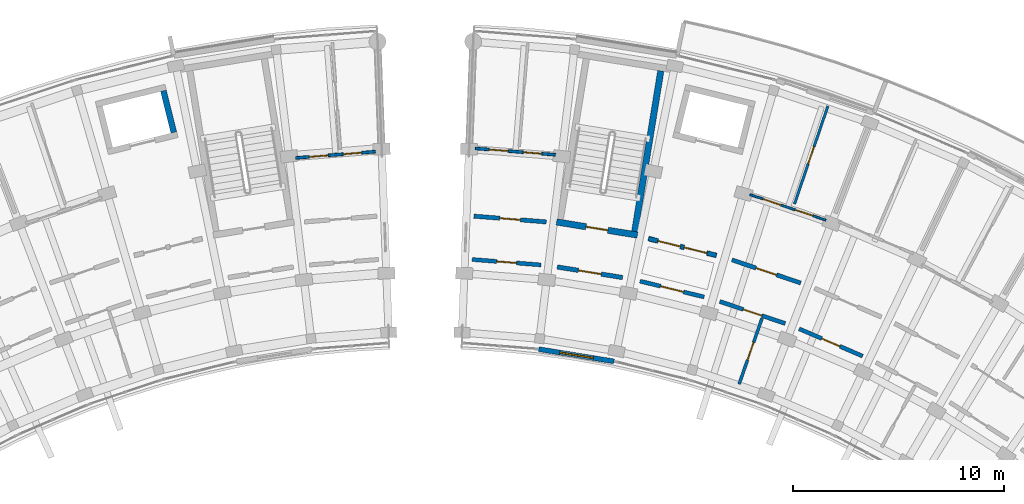
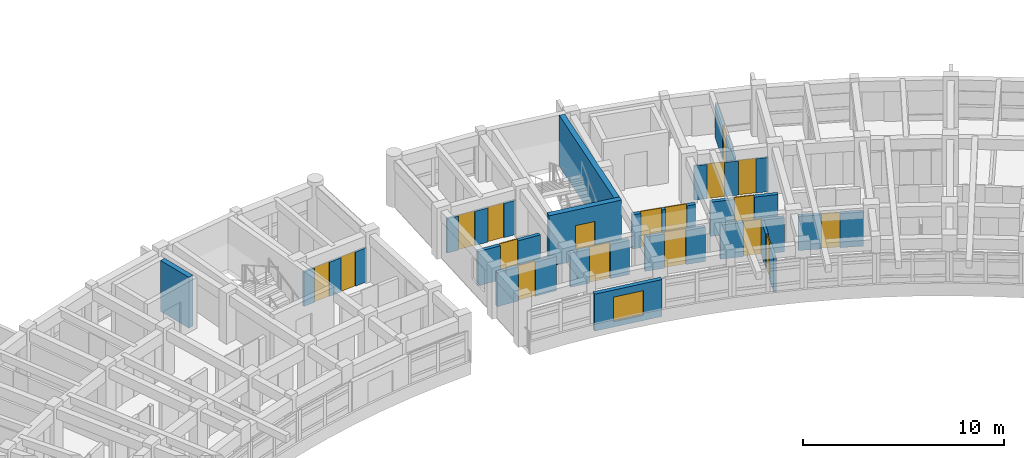
# One storey, part 30 of 54: 18 doors, 17 walls, 1 window, 19 openings.
"""IFC4 building model written with IfcOpenShell, lengths in metres."""

from ifc_helpers import new_model, si_unit, direction, frame, frame_2d, origin, place, context, subcontext, project, spatial, rectangle, extrude, material, layer, layer_set, type_object, element, fill, save


model = new_model("IFC4")

# Units and contexts
model_context = context("Model", 3, precision=1e-05, world=origin(), true_north=direction((0.0, 1.0)))
body_context = subcontext(model_context, "Body", "Model", "MODEL_VIEW")
ifc_project = project(units=[si_unit("LENGTHUNIT", "METRE"), si_unit("AREAUNIT", "SQUARE_METRE"), si_unit("VOLUMEUNIT", "CUBIC_METRE"), si_unit("PLANEANGLEUNIT", "RADIAN"), si_unit("MASSUNIT", "GRAM", prefix="KILO")], contexts=[model_context])

# Site, building, storey
site_placement = place(None, origin())
site = spatial("IfcSite", under=ifc_project, at=site_placement, CompositionType="ELEMENT")
building_placement = place(site_placement, origin())
building = spatial("IfcBuilding", under=site, at=building_placement, Name="Zimvara Arc Housing Community", CompositionType="ELEMENT")
storey_placement = place(building_placement, frame((0.0, 0.0, 20.5)))
storey = spatial("IfcBuildingStorey", under=building, at=storey_placement, Name="L06", CompositionType="ELEMENT", Elevation=20.5)

# Wall, opening, window
ifc_material_1 = material(Name="Board-Marked Fair-Faced Concrete C35/45", Category="concrete")
ifc_layer_1 = layer(ifc_material_1, 0.22998046875)
ifc_layer_set_1 = layer_set([ifc_layer_1], Name="Board-Marked Fair-Faced Concrete C35/45")
wall_type_1 = type_object("IfcWallType", Name="EWL-CONC-230", PredefinedType="SOLIDWALL", material=ifc_layer_set_1)
wall_1_placement = place(storey_placement, frame((50.36474609375, 88.79541015625, 0.0), z_axis=(0.0, 0.0, 1.0), x_axis=(0.987080874485, -0.160222804952, 0.0)))
wall_1 = element("IfcWall", 1, at=wall_1_placement, inside=storey, type_object=wall_type_1, Name="ewall:blkB:L06:in:b1", PredefinedType="SOLIDWALL", context=body_context, shape_type="SweptSolid", body=[
    extrude(rectangle(XDim=3.603759765625, YDim=0.22998046875, at=frame_2d((1.8017578125, 0.0))), origin(), (0.0, 0.0, 1.0), 2.25),
])
opening_1_placement = place(wall_1_placement, frame((1.001708984375, 0.0, 0.320068359375)))
opening_1 = element("IfcOpeningElement", 2, at=opening_1_placement, cuts=wall_1, Name="Opening W03", PredefinedType="OPENING", context=body_context, shape_type="SweptSolid", body=[
    extrude(rectangle(XDim=1.60009765625, YDim=1.5, at=frame_2d((0.800048828125, 0.75))), frame((0.0, 0.125, 0.0), z_axis=(0.0, -1.0, 0.0), x_axis=(1.0, 0.0, 0.0)), (0.0, 0.0, 1.0), 0.25),
])
ifc_material_2 = material(Name="Solar Control Low-E Double Glazing", Category="glass")
window_type = type_object("IfcWindowType", Name="WIN-RES-1600x1500", PartitioningType="DOUBLE_PANEL_VERTICAL", PredefinedType="WINDOW", material=ifc_material_2)
window_placement = place(opening_1_placement, origin())
window = element("IfcWindow", 3, at=window_placement, inside=storey, type_object=window_type, Name="win:blkB:L06:in:b1", OverallHeight=1.5, OverallWidth=1.60009765625, PartitioningType="DOUBLE_PANEL_VERTICAL", PredefinedType="WINDOW", context=body_context, shape_type="SweptSolid", body=[
    extrude(rectangle(XDim=1.60009765625, YDim=1.5, at=frame_2d((0.800048828125, 0.75))), frame((0.0, 0.030029296875, 0.0), z_axis=(0.0, -1.0, 0.0), x_axis=(1.0, 0.0, 0.0)), (0.0, 0.0, 1.0), 0.06005859375),
])
fill(opening_1, window)

# Wall, opening, door
ifc_material_3 = material(Name="Concrete C35/45", Category="concrete")
ifc_layer_2 = layer(ifc_material_3, 0.2099609375)
ifc_layer_set_2 = layer_set([ifc_layer_2], Name="Concrete C35/45")
wall_type_2 = type_object("IfcWallType", Name="IWL-CCF-210", PredefinedType="SOLIDWALL", material=ifc_layer_set_2)
wall_2_placement = place(storey_placement, frame((51.236328125, 92.682861328125, 0.0), z_axis=(0.0, 0.0, 1.0), x_axis=(0.98707079686, -0.160284877599, 0.0)))
wall_2 = element("IfcWall", 4, at=wall_2_placement, inside=storey, type_object=wall_type_2, Name="iwall:blkB:L06:ccf_div:b1", PredefinedType="SOLIDWALL", context=body_context, shape_type="SweptSolid", body=[
    extrude(rectangle(XDim=3.128662109375, YDim=0.2099609375, at=frame_2d((1.564453125, 0.0))), origin(), (0.0, 0.0, 1.0), 2.080078125),
])
opening_2_placement = place(wall_2_placement, frame((1.014404296875, 0.0, 0.0)))
opening_2 = element("IfcOpeningElement", 5, at=opening_2_placement, cuts=wall_2, Name="Opening FD-CCF1", PredefinedType="OPENING", context=body_context, shape_type="SweptSolid", body=[
    extrude(rectangle(XDim=1.10009765625, YDim=2.14990234375, at=frame_2d((0.550048828125, 1.074951171875))), frame((0.0, 0.114990234375, 0.0), z_axis=(0.0, -1.0, 0.0), x_axis=(1.0, 0.0, 0.0)), (0.0, 0.0, 1.0), 0.22998046875),
])
ifc_material_4 = material(Name="Anodised Aluminium AW-6063", Category="aluminium")
door_type_1 = type_object("IfcDoorType", Name="IDR-CCF-1100x2150", OperationType="NOTDEFINED", PredefinedType="DOOR", material=ifc_material_4)
door_1_placement = place(opening_2_placement, origin())
door_1 = element("IfcDoor", 6, at=door_1_placement, inside=storey, type_object=door_type_1, Name="idoor:blkB:L06:ccf_in:b1", OperationType="SINGLE_SWING_RIGHT", OverallHeight=2.14990234375, OverallWidth=1.10009765625, PredefinedType="DOOR", context=body_context, shape_type="SweptSolid", body=[
    extrude(rectangle(XDim=1.10009765625, YDim=2.14990234375, at=frame_2d((0.550048828125, 1.074951171875))), frame((0.0, 0.02490234375, 0.0), z_axis=(0.0, -1.0, 0.0), x_axis=(1.0, 0.0, 0.0)), (0.0, 0.0, 1.0), 0.050048828125),
])
fill(opening_2, door_1)

# Wall, openings, doors
wall_3_placement = place(storey_placement, frame((55.5576171875, 94.021728515625, 0.0), z_axis=(0.0, 0.0, 1.0), x_axis=(0.970719238682, -0.240216901263, 0.0)))
wall_3 = element("IfcWall", 7, at=wall_3_placement, inside=storey, type_object=wall_type_2, Name="iwall:blkB:L06:ll_div:b2", PredefinedType="SOLIDWALL", context=body_context, shape_type="SweptSolid", body=[
    extrude(rectangle(XDim=3.2958984375, YDim=0.2099609375, at=frame_2d((1.64794921875, 0.0))), origin(), (0.0, 0.0, 1.0), 2.080078125),
])
opening_3_placement = place(wall_3_placement, frame((0.449951171875, 0.0, 0.0)))
opening_3 = element("IfcOpeningElement", 8, at=opening_3_placement, cuts=wall_3, Name="Opening FD-CCF1", PredefinedType="OPENING", context=body_context, shape_type="SweptSolid", body=[
    extrude(rectangle(XDim=1.10009765625, YDim=2.14990234375, at=frame_2d((0.550048828125, 1.074951171875))), frame((0.0, 0.114990234375, 0.0), z_axis=(0.0, -1.0, 0.0), x_axis=(1.0, 0.0, 0.0)), (0.0, 0.0, 1.0), 0.22998046875),
])
opening_4_placement = place(wall_3_placement, frame((1.72607421875, 0.0, 0.0)))
opening_4 = element("IfcOpeningElement", 9, at=opening_4_placement, cuts=wall_3, Name="Opening D07", PredefinedType="OPENING", context=body_context, shape_type="SweptSolid", body=[
    extrude(rectangle(XDim=1.1201171875, YDim=2.14990234375, at=frame_2d((0.56005859375, 1.074951171875))), frame((0.0, 0.114990234375, 0.0), z_axis=(0.0, -1.0, 0.0), x_axis=(1.0, 0.0, 0.0)), (0.0, 0.0, 1.0), 0.22998046875),
])
ifc_material_5 = material(Name="Mozambican Hardwood", Category="wood")
door_type_2 = type_object("IfcDoorType", Name="IDR-AMN-1120x2150", OperationType="NOTDEFINED", PredefinedType="DOOR", material=ifc_material_5)
door_2_placement = place(opening_4_placement, origin())
door_2 = element("IfcDoor", 10, at=door_2_placement, inside=storey, type_object=door_type_2, Name="idoor:blkB:L06:rs_in:b2", OperationType="SINGLE_SWING_RIGHT", OverallHeight=2.14990234375, OverallWidth=1.1201171875, PredefinedType="DOOR", context=body_context, shape_type="SweptSolid", body=[
    extrude(rectangle(XDim=1.1201171875, YDim=2.14990234375, at=frame_2d((0.56005859375, 1.074951171875))), frame((0.0, 0.02490234375, 0.0), z_axis=(0.0, -1.0, 0.0), x_axis=(1.0, 0.0, 0.0)), (0.0, 0.0, 1.0), 0.050048828125),
])
fill(opening_4, door_2)
door_3_placement = place(opening_3_placement, origin())
door_3 = element("IfcDoor", 11, at=door_3_placement, inside=storey, type_object=door_type_1, Name="idoor:blkB:L06:ll_in:b2", OperationType="SINGLE_SWING_LEFT", OverallHeight=2.14990234375, OverallWidth=1.10009765625, PredefinedType="DOOR", context=body_context, shape_type="SweptSolid", body=[
    extrude(rectangle(XDim=1.10009765625, YDim=2.14990234375, at=frame_2d((0.550048828125, 1.074951171875))), frame((0.0, 0.02490234375, 0.0), z_axis=(0.0, -1.0, 0.0), x_axis=(1.0, 0.0, 0.0)), (0.0, 0.0, 1.0), 0.050048828125),
])
fill(opening_3, door_3)

# Wall, opening, door
ifc_material_6 = material(Name="Concrete C35/45", Category="concrete")
ifc_layer_3 = layer(ifc_material_6, 0.18994140625)
ifc_layer_set_3 = layer_set([ifc_layer_3], Name="Concrete C35/45")
wall_type_3 = type_object("IfcWallType", Name="IWL-CORR-190", PredefinedType="SOLIDWALL", material=ifc_layer_set_3)
wall_4_placement = place(storey_placement, frame((47.214599609375, 93.036376953125, 0.0), z_axis=(0.0, 0.0, 1.0), x_axis=(0.99686660806, -0.07910098441, 0.0)))
wall_4 = element("IfcWall", 12, at=wall_4_placement, inside=storey, type_object=wall_type_3, Name="iwall:blkB:L06:corr_in:b0", PredefinedType="SOLIDWALL", context=body_context, shape_type="SweptSolid", body=[
    extrude(rectangle(XDim=3.2685546875, YDim=0.18994140625, at=frame_2d((1.63427734375, 0.0))), origin(), (0.0, 0.0, 1.0), 2.080078125),
])
opening_5_placement = place(wall_4_placement, frame((1.164306640625, 0.0, 0.0)))
opening_5 = element("IfcOpeningElement", 13, at=opening_5_placement, cuts=wall_4, Name="Opening D03", PredefinedType="OPENING", context=body_context, shape_type="SweptSolid", body=[
    extrude(rectangle(XDim=0.93994140625, YDim=2.10009765625, at=frame_2d((0.469970703125, 1.050048828125))), frame((0.0, 0.10498046875, 0.0), z_axis=(0.0, -1.0, 0.0), x_axis=(1.0, 0.0, 0.0)), (0.0, 0.0, 1.0), 0.2099609375),
])
ifc_material_7 = material(Name="Mozambican Hardwood", Category="wood")
door_type_3 = type_object("IfcDoorType", Name="IDR-RM-0940x2100", OperationType="NOTDEFINED", PredefinedType="DOOR", material=ifc_material_7)
door_4_placement = place(opening_5_placement, origin())
door_4 = element("IfcDoor", 14, at=door_4_placement, inside=storey, type_object=door_type_3, Name="idoor:blkB:L06:in_rm:b0", OperationType="SINGLE_SWING_RIGHT", OverallHeight=2.10009765625, OverallWidth=0.93994140625, PredefinedType="DOOR", context=body_context, shape_type="SweptSolid", body=[
    extrude(rectangle(XDim=0.93994140625, YDim=2.10009765625, at=frame_2d((0.469970703125, 1.050048828125))), frame((0.0, 0.02490234375, 0.0), z_axis=(0.0, -1.0, 0.0), x_axis=(1.0, 0.0, 0.0)), (0.0, 0.0, 1.0), 0.050048828125),
])
fill(opening_5, door_4)

wall_5_placement = place(storey_placement, frame((55.146728515625, 92.01318359375, 0.0), z_axis=(0.0, 0.0, 1.0), x_axis=(0.970727194092, -0.240184751078, 0.0)))
wall_5 = element("IfcWall", 15, at=wall_5_placement, inside=storey, type_object=wall_type_3, Name="iwall:blkB:L06:ra_div:b2", PredefinedType="SOLIDWALL", context=body_context, shape_type="SweptSolid", body=[
    extrude(rectangle(XDim=3.128662109375, YDim=0.18994140625, at=frame_2d((1.564453125, 0.0))), origin(), (0.0, 0.0, 1.0), 2.080078125),
])
opening_6_placement = place(wall_5_placement, frame((1.00439453125, 0.0, 0.0)))
opening_6 = element("IfcOpeningElement", 16, at=opening_6_placement, cuts=wall_5, Name="Opening D07", PredefinedType="OPENING", context=body_context, shape_type="SweptSolid", body=[
    extrude(rectangle(XDim=1.1201171875, YDim=2.14990234375, at=frame_2d((0.56005859375, 1.074951171875))), frame((0.0, 0.10498046875, 0.0), z_axis=(0.0, -1.0, 0.0), x_axis=(1.0, 0.0, 0.0)), (0.0, 0.0, 1.0), 0.2099609375),
])
door_5_placement = place(opening_6_placement, origin())
door_5 = element("IfcDoor", 17, at=door_5_placement, inside=storey, type_object=door_type_2, Name="idoor:blkB:L06:ra_d:b2", OperationType="SINGLE_SWING_LEFT", OverallHeight=2.14990234375, OverallWidth=1.1201171875, PredefinedType="DOOR", context=body_context, shape_type="SweptSolid", body=[
    extrude(rectangle(XDim=1.1201171875, YDim=2.14990234375, at=frame_2d((0.56005859375, 1.074951171875))), frame((0.0, 0.02490234375, 0.0), z_axis=(0.0, -1.0, 0.0), x_axis=(1.0, 0.0, 0.0)), (0.0, 0.0, 1.0), 0.050048828125),
])
fill(opening_6, door_5)

wall_6_placement = place(storey_placement, frame((58.92333984375, 91.04931640625, 0.0), z_axis=(0.0, 0.0, 1.0), x_axis=(0.94787351033, -0.318646839643, 0.0)))
wall_6 = element("IfcWall", 18, at=wall_6_placement, inside=storey, type_object=wall_type_3, Name="iwall:blkB:L06:corr_in:b3", PredefinedType="SOLIDWALL", context=body_context, shape_type="SweptSolid", body=[
    extrude(rectangle(XDim=3.2685546875, YDim=0.18994140625, at=frame_2d((1.63427734375, 0.0))), origin(), (0.0, 0.0, 1.0), 2.080078125),
])
opening_7_placement = place(wall_6_placement, frame((1.17431640625, 0.0, 0.0)))
opening_7 = element("IfcOpeningElement", 19, at=opening_7_placement, cuts=wall_6, Name="Opening D02", PredefinedType="OPENING", context=body_context, shape_type="SweptSolid", body=[
    extrude(rectangle(XDim=0.919921875, YDim=2.10009765625, at=frame_2d((0.4599609375, 1.050048828125))), frame((0.0, 0.10498046875, 0.0), z_axis=(0.0, -1.0, 0.0), x_axis=(1.0, 0.0, 0.0)), (0.0, 0.0, 1.0), 0.2099609375),
])
ifc_material_8 = material(Name="Mozambican Hardwood", Category="wood")
door_type_4 = type_object("IfcDoorType", Name="IDR-RM-0920x2100", OperationType="NOTDEFINED", PredefinedType="DOOR", material=ifc_material_8)
door_6_placement = place(opening_7_placement, origin())
door_6 = element("IfcDoor", 20, at=door_6_placement, inside=storey, type_object=door_type_4, Name="idoor:blkB:L06:in_rm:b3", OperationType="SINGLE_SWING_LEFT", OverallHeight=2.10009765625, OverallWidth=0.919921875, PredefinedType="DOOR", context=body_context, shape_type="SweptSolid", body=[
    extrude(rectangle(XDim=0.919921875, YDim=2.10009765625, at=frame_2d((0.4599609375, 1.050048828125))), frame((0.0, 0.02490234375, 0.0), z_axis=(0.0, -1.0, 0.0), x_axis=(1.0, 0.0, 0.0)), (0.0, 0.0, 1.0), 0.050048828125),
])
fill(opening_7, door_6)

wall_7_placement = place(storey_placement, frame((62.6748046875, 89.758056640625, 0.0), z_axis=(0.0, 0.0, 1.0), x_axis=(0.918723391052, -0.394901672235, 0.0)))
wall_7 = element("IfcWall", 21, at=wall_7_placement, inside=storey, type_object=wall_type_3, Name="iwall:blkB:L06:corr_in:b4", PredefinedType="SOLIDWALL", context=body_context, shape_type="SweptSolid", body=[
    extrude(rectangle(XDim=3.2685546875, YDim=0.18994140625, at=frame_2d((1.63427734375, 0.0))), origin(), (0.0, 0.0, 1.0), 2.080078125),
])
opening_8_placement = place(wall_7_placement, frame((1.164306640625, 0.0, 0.0)))
opening_8 = element("IfcOpeningElement", 22, at=opening_8_placement, cuts=wall_7, Name="Opening D03", PredefinedType="OPENING", context=body_context, shape_type="SweptSolid", body=[
    extrude(rectangle(XDim=0.93994140625, YDim=2.10009765625, at=frame_2d((0.469970703125, 1.050048828125))), frame((0.0, 0.10498046875, 0.0), z_axis=(0.0, -1.0, 0.0), x_axis=(1.0, 0.0, 0.0)), (0.0, 0.0, 1.0), 0.2099609375),
])
door_7_placement = place(opening_8_placement, origin())
door_7 = element("IfcDoor", 23, at=door_7_placement, inside=storey, type_object=door_type_3, Name="idoor:blkB:L06:in_rm:b4", OperationType="SINGLE_SWING_LEFT", OverallHeight=2.10009765625, OverallWidth=0.93994140625, PredefinedType="DOOR", context=body_context, shape_type="SweptSolid", body=[
    extrude(rectangle(XDim=0.93994140625, YDim=2.10009765625, at=frame_2d((0.469970703125, 1.050048828125))), frame((0.0, 0.02490234375, 0.0), z_axis=(0.0, -1.0, 0.0), x_axis=(1.0, 0.0, 0.0)), (0.0, 0.0, 1.0), 0.050048828125),
])
fill(opening_8, door_7)

ifc_material_9 = material(Name="Concrete C35/45", Category="concrete")
ifc_layer_4 = layer(ifc_material_9, 0.199951171875)
ifc_layer_set_4 = layer_set([ifc_layer_4], Name="Concrete C35/45")
wall_type_4 = type_object("IfcWallType", Name="IWL-CORR-200", PredefinedType="SOLIDWALL", material=ifc_layer_set_4)
wall_8_placement = place(storey_placement, frame((47.293212890625, 95.0849609375, 0.0), z_axis=(0.0, 0.0, 1.0), x_axis=(0.996862545573, -0.079152165058, 0.0)))
wall_8 = element("IfcWall", 24, at=wall_8_placement, inside=storey, type_object=wall_type_4, Name="iwall:blkB:L06:corr_out:b0", PredefinedType="SOLIDWALL", context=body_context, shape_type="SweptSolid", body=[
    extrude(rectangle(XDim=3.43603515625, YDim=0.199951171875, at=frame_2d((1.718017578125, 0.0))), origin(), (0.0, 0.0, 1.0), 2.080078125),
])
opening_9_placement = place(wall_8_placement, frame((1.22802734375, 0.0, 0.0)))
opening_9 = element("IfcOpeningElement", 25, at=opening_9_placement, cuts=wall_8, Name="Opening FD-FL1", PredefinedType="OPENING", context=body_context, shape_type="SweptSolid", body=[
    extrude(rectangle(XDim=0.97998046875, YDim=2.14990234375, at=frame_2d((0.489990234375, 1.074951171875))), frame((0.0, 0.10986328125, 0.0), z_axis=(0.0, -1.0, 0.0), x_axis=(1.0, 0.0, 0.0)), (0.0, 0.0, 1.0), 0.219970703125),
])
ifc_material_10 = material(Name="Mozambican Hardwood", Category="wood")
door_type_5 = type_object("IfcDoorType", Name="IDR-FLAT-0980x2150", OperationType="NOTDEFINED", PredefinedType="DOOR", material=ifc_material_10)
door_8_placement = place(opening_9_placement, origin())
door_8 = element("IfcDoor", 26, at=door_8_placement, inside=storey, type_object=door_type_5, Name="idoor:blkB:L06:flat:b0", OperationType="SINGLE_SWING_LEFT", OverallHeight=2.14990234375, OverallWidth=0.97998046875, PredefinedType="DOOR", context=body_context, shape_type="SweptSolid", body=[
    extrude(rectangle(XDim=0.97998046875, YDim=2.14990234375, at=frame_2d((0.489990234375, 1.074951171875))), frame((0.0, 0.02490234375, 0.0), z_axis=(0.0, -1.0, 0.0), x_axis=(1.0, 0.0, 0.0)), (0.0, 0.0, 1.0), 0.050048828125),
])
fill(opening_9, door_8)

wall_9_placement = place(storey_placement, frame((59.49658203125, 93.017578125, 0.0), z_axis=(0.0, 0.0, 1.0), x_axis=(0.947863007629, -0.318678080151, 0.0)))
wall_9 = element("IfcWall", 27, at=wall_9_placement, inside=storey, type_object=wall_type_4, Name="iwall:blkB:L06:corr_out:b3", PredefinedType="SOLIDWALL", context=body_context, shape_type="SweptSolid", body=[
    extrude(rectangle(XDim=3.43603515625, YDim=0.199951171875, at=frame_2d((1.718017578125, 0.0))), origin(), (0.0, 0.0, 1.0), 2.080078125),
])
opening_10_placement = place(wall_9_placement, frame((1.2080078125, 0.0, 0.0)))
opening_10 = element("IfcOpeningElement", 28, at=opening_10_placement, cuts=wall_9, Name="Opening FD-FL2", PredefinedType="OPENING", context=body_context, shape_type="SweptSolid", body=[
    extrude(rectangle(XDim=1.02001953125, YDim=2.14990234375, at=frame_2d((0.510009765625, 1.074951171875))), frame((0.0, 0.10986328125, 0.0), z_axis=(0.0, -1.0, 0.0), x_axis=(1.0, 0.0, 0.0)), (0.0, 0.0, 1.0), 0.219970703125),
])
ifc_material_11 = material(Name="Mozambican Hardwood", Category="wood")
door_type_6 = type_object("IfcDoorType", Name="IDR-FLAT-1020x2150", OperationType="NOTDEFINED", PredefinedType="DOOR", material=ifc_material_11)
door_9_placement = place(opening_10_placement, origin())
door_9 = element("IfcDoor", 29, at=door_9_placement, inside=storey, type_object=door_type_6, Name="idoor:blkB:L06:flat:b3", OperationType="SINGLE_SWING_RIGHT", OverallHeight=2.14990234375, OverallWidth=1.02001953125, PredefinedType="DOOR", context=body_context, shape_type="SweptSolid", body=[
    extrude(rectangle(XDim=1.02001953125, YDim=2.14990234375, at=frame_2d((0.510009765625, 1.074951171875))), frame((0.0, 0.02490234375, 0.0), z_axis=(0.0, -1.0, 0.0), x_axis=(1.0, 0.0, 0.0)), (0.0, 0.0, 1.0), 0.050048828125),
])
fill(opening_10, door_9)

# Wall, openings, doors
ifc_material_12 = material(Name="Painted Acoustic Plasterboard")
ifc_layer_5 = layer(ifc_material_12, 0.10009765625)
ifc_layer_set_5 = layer_set([ifc_layer_5], Name="Painted Acoustic Plasterboard")
wall_type_5 = type_object("IfcWallType", Name="IWL-PART-100", PredefinedType="PARTITIONING", material=ifc_layer_set_5)
wall_10_placement = place(storey_placement, frame((60.34423828125, 96.105712890625, 0.0), z_axis=(0.0, 0.0, 1.0), x_axis=(0.947876567739, -0.318637744673, 0.0)))
wall_10 = element("IfcWall", 30, at=wall_10_placement, inside=storey, type_object=wall_type_5, Name="iwall:blkB:L06:srv:b3", PredefinedType="PARTITIONING", context=body_context, shape_type="SweptSolid", body=[
    extrude(rectangle(XDim=3.79736328125, YDim=0.10009765625, at=frame_2d((1.898681640625, 0.0))), origin(), (0.0, 0.0, 1.0), 2.080078125),
])
opening_11_placement = place(wall_10_placement, frame((0.64990234375, 0.0, 0.0)))
opening_11 = element("IfcOpeningElement", 31, at=opening_11_placement, cuts=wall_10, Name="Opening D01", PredefinedType="OPENING", context=body_context, shape_type="SweptSolid", body=[
    extrude(rectangle(XDim=0.89990234375, YDim=2.10009765625, at=frame_2d((0.449951171875, 1.050048828125))), frame((0.0, 0.06005859375, 0.0), z_axis=(0.0, -1.0, 0.0), x_axis=(1.0, 0.0, 0.0)), (0.0, 0.0, 1.0), 0.1201171875),
])
opening_12_placement = place(wall_10_placement, frame((2.267333984375, 0.0, 0.0)))
opening_12 = element("IfcOpeningElement", 32, at=opening_12_placement, cuts=wall_10, Name="Opening D05", PredefinedType="OPENING", context=body_context, shape_type="SweptSolid", body=[
    extrude(rectangle(XDim=0.8798828125, YDim=2.10009765625, at=frame_2d((0.43994140625, 1.050048828125))), frame((0.0, 0.06005859375, 0.0), z_axis=(0.0, -1.0, 0.0), x_axis=(1.0, 0.0, 0.0)), (0.0, 0.0, 1.0), 0.1201171875),
])
ifc_material_13 = material(Name="Mozambican Hardwood", Category="wood")
door_type_7 = type_object("IfcDoorType", Name="IDR-RM-0900x2100", OperationType="NOTDEFINED", PredefinedType="DOOR", material=ifc_material_13)
door_10_placement = place(opening_11_placement, origin())
door_10 = element("IfcDoor", 33, at=door_10_placement, inside=storey, type_object=door_type_7, Name="idoor:blkB:L06:kit_liv:b3", OperationType="SINGLE_SWING_LEFT", OverallHeight=2.10009765625, OverallWidth=0.89990234375, PredefinedType="DOOR", context=body_context, shape_type="SweptSolid", body=[
    extrude(rectangle(XDim=0.89990234375, YDim=2.10009765625, at=frame_2d((0.449951171875, 1.050048828125))), frame((0.0, 0.02490234375, 0.0), z_axis=(0.0, -1.0, 0.0), x_axis=(1.0, 0.0, 0.0)), (0.0, 0.0, 1.0), 0.050048828125),
])
fill(opening_11, door_10)
ifc_material_14 = material(Name="Mozambican Hardwood", Category="wood")
door_type_8 = type_object("IfcDoorType", Name="IDR-WC-0880x2100", OperationType="NOTDEFINED", PredefinedType="DOOR", material=ifc_material_14)
door_11_placement = place(opening_12_placement, origin())
door_11 = element("IfcDoor", 34, at=door_11_placement, inside=storey, type_object=door_type_8, Name="idoor:blkB:L06:bath_d:b3", OperationType="SINGLE_SWING_RIGHT", OverallHeight=2.10009765625, OverallWidth=0.8798828125, PredefinedType="DOOR", context=body_context, shape_type="SweptSolid", body=[
    extrude(rectangle(XDim=0.8798828125, YDim=2.10009765625, at=frame_2d((0.43994140625, 1.050048828125))), frame((0.0, 0.02490234375, 0.0), z_axis=(0.0, -1.0, 0.0), x_axis=(1.0, 0.0, 0.0)), (0.0, 0.0, 1.0), 0.050048828125),
])
fill(opening_12, door_11)

# Wall, opening, door
ifc_material_15 = material(Name="Painted Acoustic Plasterboard")
ifc_layer_6 = layer(ifc_material_15, 0.1201171875)
ifc_layer_set_6 = layer_set([ifc_layer_6], Name="Painted Acoustic Plasterboard")
wall_type_6 = type_object("IfcWallType", Name="IWL-PART-120", PredefinedType="PARTITIONING", material=ifc_layer_set_6)
wall_11_placement = place(storey_placement, frame((62.453369140625, 95.654541015625, 0.0), z_axis=(0.0, 0.0, 1.0), x_axis=(0.322916379302, 0.946427499589, 0.0)))
wall_11 = element("IfcWall", 35, at=wall_11_placement, inside=storey, type_object=wall_type_6, Name="iwall:blkB:L06:bed_div:b3", PredefinedType="PARTITIONING", context=body_context, shape_type="SweptSolid", body=[
    extrude(rectangle(XDim=4.89990234375, YDim=0.1201171875, at=frame_2d((2.449951171875, 0.0))), origin(), (0.0, 0.0, 1.0), 2.080078125),
])
opening_13_placement = place(wall_11_placement, frame((2.02490234375, 0.0, 0.0)))
opening_13 = element("IfcOpeningElement", 36, at=opening_13_placement, cuts=wall_11, Name="Opening D11", PredefinedType="OPENING", context=body_context, shape_type="SweptSolid", body=[
    extrude(rectangle(XDim=0.85009765625, YDim=2.10009765625, at=frame_2d((0.425048828125, 1.050048828125))), frame((0.0, 0.070068359375, 0.0), z_axis=(0.0, -1.0, 0.0), x_axis=(1.0, 0.0, 0.0)), (0.0, 0.0, 1.0), 0.14013671875),
])
ifc_material_16 = material(Name="Mozambican Hardwood", Category="wood")
door_type_9 = type_object("IfcDoorType", Name="IDR-MOD-850x2060", OperationType="NOTDEFINED", PredefinedType="DOOR", material=ifc_material_16)
door_12_placement = place(opening_13_placement, origin())
door_12 = element("IfcDoor", 37, at=door_12_placement, inside=storey, type_object=door_type_9, Name="idoor:blkB:L06:bed_d:b3", OperationType="SINGLE_SWING_LEFT", OverallHeight=2.10009765625, OverallWidth=0.85009765625, PredefinedType="DOOR", context=body_context, shape_type="SweptSolid", body=[
    extrude(rectangle(XDim=0.85009765625, YDim=2.10009765625, at=frame_2d((0.425048828125, 1.050048828125))), frame((0.0, 0.02490234375, 0.0), z_axis=(0.0, -1.0, 0.0), x_axis=(1.0, 0.0, 0.0)), (0.0, 0.0, 1.0), 0.050048828125),
])
fill(opening_13, door_12)

# Wall, openings, doors
ifc_material_17 = material(Name="Painted Acoustic Plasterboard")
ifc_layer_7 = layer(ifc_material_17, 0.1298828125)
ifc_layer_set_7 = layer_set([ifc_layer_7], Name="Painted Acoustic Plasterboard")
wall_type_7 = type_object("IfcWallType", Name="IWL-PART-130", PredefinedType="PARTITIONING", material=ifc_layer_set_7)
wall_12_placement = place(storey_placement, frame((38.8662109375, 97.837158203125, 0.0), z_axis=(0.0, 0.0, 1.0), x_axis=(0.996863292793, 0.079142753818, 0.0)))
wall_12 = element("IfcWall", 38, at=wall_12_placement, inside=storey, type_object=wall_type_7, Name="iwall:blkA:L06:srv:b9", PredefinedType="PARTITIONING", context=body_context, shape_type="SweptSolid", body=[
    extrude(rectangle(XDim=3.78515625, YDim=0.1298828125, at=frame_2d((1.892578125, 0.0))), origin(), (0.0, 0.0, 1.0), 2.080078125),
])
opening_14_placement = place(wall_12_placement, frame((0.64990234375, 0.0, 0.0)))
opening_14 = element("IfcOpeningElement", 39, at=opening_14_placement, cuts=wall_12, Name="Opening D01", PredefinedType="OPENING", context=body_context, shape_type="SweptSolid", body=[
    extrude(rectangle(XDim=0.89990234375, YDim=2.10009765625, at=frame_2d((0.449951171875, 1.050048828125))), frame((0.0, 0.074951171875, 0.0), z_axis=(0.0, -1.0, 0.0), x_axis=(1.0, 0.0, 0.0)), (0.0, 0.0, 1.0), 0.14990234375),
])
opening_15_placement = place(wall_12_placement, frame((2.255126953125, 0.0, 0.0)))
opening_15 = element("IfcOpeningElement", 40, at=opening_15_placement, cuts=wall_12, Name="Opening D05", PredefinedType="OPENING", context=body_context, shape_type="SweptSolid", body=[
    extrude(rectangle(XDim=0.8798828125, YDim=2.10009765625, at=frame_2d((0.43994140625, 1.050048828125))), frame((0.0, 0.074951171875, 0.0), z_axis=(0.0, -1.0, 0.0), x_axis=(1.0, 0.0, 0.0)), (0.0, 0.0, 1.0), 0.14990234375),
])
door_13_placement = place(opening_14_placement, origin())
door_13 = element("IfcDoor", 41, at=door_13_placement, inside=storey, type_object=door_type_7, Name="idoor:blkA:L06:kit_liv:b9", OperationType="SINGLE_SWING_LEFT", OverallHeight=2.10009765625, OverallWidth=0.89990234375, PredefinedType="DOOR", context=body_context, shape_type="SweptSolid", body=[
    extrude(rectangle(XDim=0.89990234375, YDim=2.10009765625, at=frame_2d((0.449951171875, 1.050048828125))), frame((0.0, 0.02490234375, 0.0), z_axis=(0.0, -1.0, 0.0), x_axis=(1.0, 0.0, 0.0)), (0.0, 0.0, 1.0), 0.050048828125),
])
fill(opening_14, door_13)
door_14_placement = place(opening_15_placement, origin())
door_14 = element("IfcDoor", 42, at=door_14_placement, inside=storey, type_object=door_type_8, Name="idoor:blkA:L06:bath_d:b9", OperationType="SINGLE_SWING_RIGHT", OverallHeight=2.10009765625, OverallWidth=0.8798828125, PredefinedType="DOOR", context=body_context, shape_type="SweptSolid", body=[
    extrude(rectangle(XDim=0.8798828125, YDim=2.10009765625, at=frame_2d((0.43994140625, 1.050048828125))), frame((0.0, 0.02490234375, 0.0), z_axis=(0.0, -1.0, 0.0), x_axis=(1.0, 0.0, 0.0)), (0.0, 0.0, 1.0), 0.050048828125),
])
fill(opening_15, door_14)

wall_13_placement = place(storey_placement, frame((47.3662109375, 98.28662109375, 0.0), z_axis=(0.0, 0.0, 1.0), x_axis=(0.996863138536, -0.079144696778, 0.0)))
wall_13 = element("IfcWall", 43, at=wall_13_placement, inside=storey, type_object=wall_type_7, Name="iwall:blkB:L06:srv:b0", PredefinedType="PARTITIONING", context=body_context, shape_type="SweptSolid", body=[
    extrude(rectangle(XDim=3.79736328125, YDim=0.1298828125, at=frame_2d((1.898681640625, 0.0))), origin(), (0.0, 0.0, 1.0), 2.080078125),
])
opening_16_placement = place(wall_13_placement, frame((0.64990234375, 0.0, 0.0)))
opening_16 = element("IfcOpeningElement", 44, at=opening_16_placement, cuts=wall_13, Name="Opening D01", PredefinedType="OPENING", context=body_context, shape_type="SweptSolid", body=[
    extrude(rectangle(XDim=0.89990234375, YDim=2.10009765625, at=frame_2d((0.449951171875, 1.050048828125))), frame((0.0, 0.074951171875, 0.0), z_axis=(0.0, -1.0, 0.0), x_axis=(1.0, 0.0, 0.0)), (0.0, 0.0, 1.0), 0.14990234375),
])
opening_17_placement = place(wall_13_placement, frame((2.267333984375, 0.0, 0.0)))
opening_17 = element("IfcOpeningElement", 45, at=opening_17_placement, cuts=wall_13, Name="Opening D05", PredefinedType="OPENING", context=body_context, shape_type="SweptSolid", body=[
    extrude(rectangle(XDim=0.8798828125, YDim=2.10009765625, at=frame_2d((0.43994140625, 1.050048828125))), frame((0.0, 0.074951171875, 0.0), z_axis=(0.0, -1.0, 0.0), x_axis=(1.0, 0.0, 0.0)), (0.0, 0.0, 1.0), 0.14990234375),
])
door_15_placement = place(opening_16_placement, origin())
door_15 = element("IfcDoor", 46, at=door_15_placement, inside=storey, type_object=door_type_7, Name="idoor:blkB:L06:kit_liv:b0", OperationType="SINGLE_SWING_LEFT", OverallHeight=2.10009765625, OverallWidth=0.89990234375, PredefinedType="DOOR", context=body_context, shape_type="SweptSolid", body=[
    extrude(rectangle(XDim=0.89990234375, YDim=2.10009765625, at=frame_2d((0.449951171875, 1.050048828125))), frame((0.0, 0.02490234375, 0.0), z_axis=(0.0, -1.0, 0.0), x_axis=(1.0, 0.0, 0.0)), (0.0, 0.0, 1.0), 0.050048828125),
])
fill(opening_16, door_15)
door_16_placement = place(opening_17_placement, origin())
door_16 = element("IfcDoor", 47, at=door_16_placement, inside=storey, type_object=door_type_8, Name="idoor:blkB:L06:bath_d:b0", OperationType="SINGLE_SWING_RIGHT", OverallHeight=2.10009765625, OverallWidth=0.8798828125, PredefinedType="DOOR", context=body_context, shape_type="SweptSolid", body=[
    extrude(rectangle(XDim=0.8798828125, YDim=2.10009765625, at=frame_2d((0.43994140625, 1.050048828125))), frame((0.0, 0.02490234375, 0.0), z_axis=(0.0, -1.0, 0.0), x_axis=(1.0, 0.0, 0.0)), (0.0, 0.0, 1.0), 0.050048828125),
])
fill(opening_17, door_16)

# Wall, opening, door
ifc_material_18 = material(Name="Painted Acoustic Plasterboard")
ifc_layer_8 = layer(ifc_material_18, 0.14501953125)
ifc_layer_set_8 = layer_set([ifc_layer_8], Name="Painted Acoustic Plasterboard")
wall_type_8 = type_object("IfcWallType", Name="IWL-WET-145", PredefinedType="PARTITIONING", material=ifc_layer_set_8)
wall_14_placement = place(storey_placement, frame((59.8369140625, 87.142578125, 0.0), z_axis=(0.0, 0.0, 1.0), x_axis=(0.328629662527, 0.944458863534, 0.0)))
wall_14 = element("IfcWall", 48, at=wall_14_placement, inside=storey, type_object=wall_type_8, Name="iwall:blkB:L06:ens:b3", PredefinedType="PARTITIONING", context=body_context, shape_type="SweptSolid", body=[
    extrude(rectangle(XDim=3.300048828125, YDim=0.14501953125, at=frame_2d((1.64990234375, 0.0))), origin(), (0.0, 0.0, 1.0), 2.080078125),
])
opening_18_placement = place(wall_14_placement, frame((1.2099609375, 0.0, 0.0)))
opening_18 = element("IfcOpeningElement", 49, at=opening_18_placement, cuts=wall_14, Name="Opening D05", PredefinedType="OPENING", context=body_context, shape_type="SweptSolid", body=[
    extrude(rectangle(XDim=0.8798828125, YDim=2.10009765625, at=frame_2d((0.43994140625, 1.050048828125))), frame((0.0, 0.08251953125, 0.0), z_axis=(0.0, -1.0, 0.0), x_axis=(1.0, 0.0, 0.0)), (0.0, 0.0, 1.0), 0.1650390625),
])
door_17_placement = place(opening_18_placement, origin())
door_17 = element("IfcDoor", 50, at=door_17_placement, inside=storey, type_object=door_type_8, Name="idoor:blkB:L06:ens_d:b3", OperationType="SINGLE_SWING_RIGHT", OverallHeight=2.10009765625, OverallWidth=0.8798828125, PredefinedType="DOOR", context=body_context, shape_type="SweptSolid", body=[
    extrude(rectangle(XDim=0.8798828125, YDim=2.10009765625, at=frame_2d((0.43994140625, 1.050048828125))), frame((0.0, 0.02490234375, 0.0), z_axis=(0.0, -1.0, 0.0), x_axis=(1.0, 0.0, 0.0)), (0.0, 0.0, 1.0), 0.050048828125),
])
fill(opening_18, door_17)

# Wall
ifc_material_19 = material(Name="Concrete C40/50", Category="concrete")
ifc_layer_9 = layer(ifc_material_19, 0.280029296875)
ifc_layer_set_9 = layer_set([ifc_layer_9], Name="Concrete C40/50")
wall_type_9 = type_object("IfcWallType", Name="WL-CORE-280", PredefinedType="SHEAR", material=ifc_layer_set_9)
wall_15_placement = place(storey_placement, frame((33.103515625, 99.04443359375, 0.0), z_axis=(0.0, 0.0, 1.0), x_axis=(-0.240186044774, 0.970726873995, 0.0)))
element("IfcWall", 51, at=wall_15_placement, inside=storey, type_object=wall_type_9, Name="lwall:LF-A2:L06:left", PredefinedType="SHEAR", context=body_context, shape_type="SweptSolid", body=[
    extrude(rectangle(XDim=2.02978515625, YDim=0.280029296875, at=frame_2d((1.014892578125, 0.0))), origin(), (0.0, 0.0, 1.0), 3.10009765625),
])

# Wall, opening, door
ifc_material_20 = material(Name="Concrete C40/50", Category="concrete")
ifc_layer_10 = layer(ifc_material_20, 0.300048828125)
ifc_layer_set_10 = layer_set([ifc_layer_10], Name="Concrete C40/50")
wall_type_10 = type_object("IfcWallType", Name="WL-CORE-300", PredefinedType="SHEAR", material=ifc_layer_set_10)
wall_16_placement = place(storey_placement, frame((55.026123046875, 94.1904296875, 0.0), z_axis=(0.0, 0.0, 1.0), x_axis=(-0.987077443397, 0.160243941341, 0.0)))
wall_16 = element("IfcWall", 52, at=wall_16_placement, inside=storey, type_object=wall_type_10, Name="cwall:ST-B1:L06:near", PredefinedType="SHEAR", context=body_context, shape_type="SweptSolid", body=[
    extrude(rectangle(XDim=3.869873046875, YDim=0.300048828125, at=frame_2d((1.93505859375, 0.0))), origin(), (0.0, 0.0, 1.0), 3.10009765625),
])
opening_19_placement = place(wall_16_placement, frame((1.409912109375, 0.0, 0.0)))
opening_19 = element("IfcOpeningElement", 53, at=opening_19_placement, cuts=wall_16, Name="Opening FD-ST2", PredefinedType="OPENING", context=body_context, shape_type="SweptSolid", body=[
    extrude(rectangle(XDim=1.050048828125, YDim=2.14990234375, at=frame_2d((0.52490234375, 1.074951171875))), frame((0.0, 0.159912109375, 0.0), z_axis=(0.0, -1.0, 0.0), x_axis=(1.0, 0.0, 0.0)), (0.0, 0.0, 1.0), 0.320068359375),
])
ifc_material_21 = material(Name="Anodised Aluminium AW-6063", Category="aluminium")
door_type_10 = type_object("IfcDoorType", Name="IDR-ST-1050x2150", OperationType="NOTDEFINED", PredefinedType="DOOR", material=ifc_material_21)
door_18_placement = place(opening_19_placement, origin())
door_18 = element("IfcDoor", 54, at=door_18_placement, inside=storey, type_object=door_type_10, Name="idoor:ST-B1:L06:entry", OperationType="SINGLE_SWING_RIGHT", OverallHeight=2.14990234375, OverallWidth=1.050048828125, PredefinedType="DOOR", context=body_context, shape_type="SweptSolid", body=[
    extrude(rectangle(XDim=1.050048828125, YDim=2.14990234375, at=frame_2d((0.52490234375, 1.074951171875))), frame((0.0, 0.02490234375, 0.0), z_axis=(0.0, -1.0, 0.0), x_axis=(1.0, 0.0, 0.0)), (0.0, 0.0, 1.0), 0.050048828125),
])
fill(opening_19, door_18)

# Wall
wall_17_placement = place(storey_placement, frame((54.902099609375, 94.362548828125, 0.0), z_axis=(0.0, 0.0, 1.0), x_axis=(0.160227496777, 0.987080112897, 0.0)))
element("IfcWall", 55, at=wall_17_placement, inside=storey, type_object=wall_type_10, Name="cwall:ST-B1:L06:left", PredefinedType="SHEAR", context=body_context, shape_type="SweptSolid", body=[
    extrude(rectangle(XDim=7.690185546875, YDim=0.300048828125, at=frame_2d((3.84521484375, 0.0))), origin(), (0.0, 0.0, 1.0), 3.10009765625),
])

save(model, "model.ifc")
